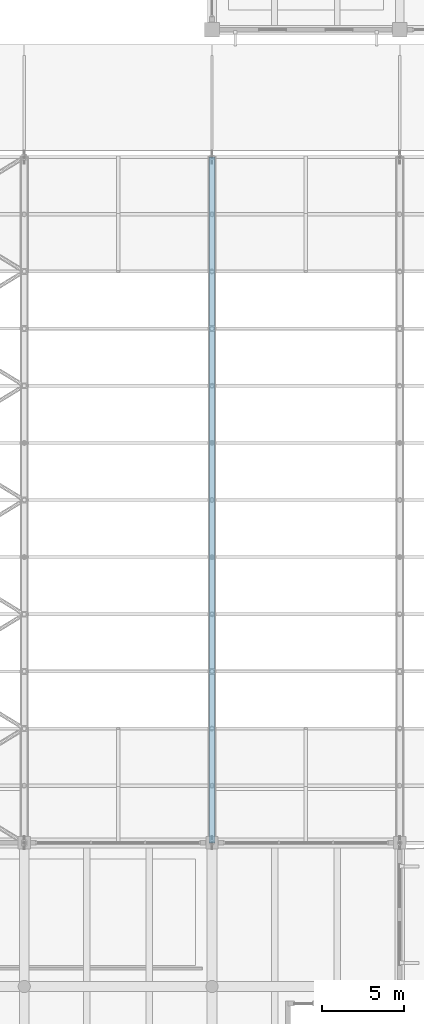
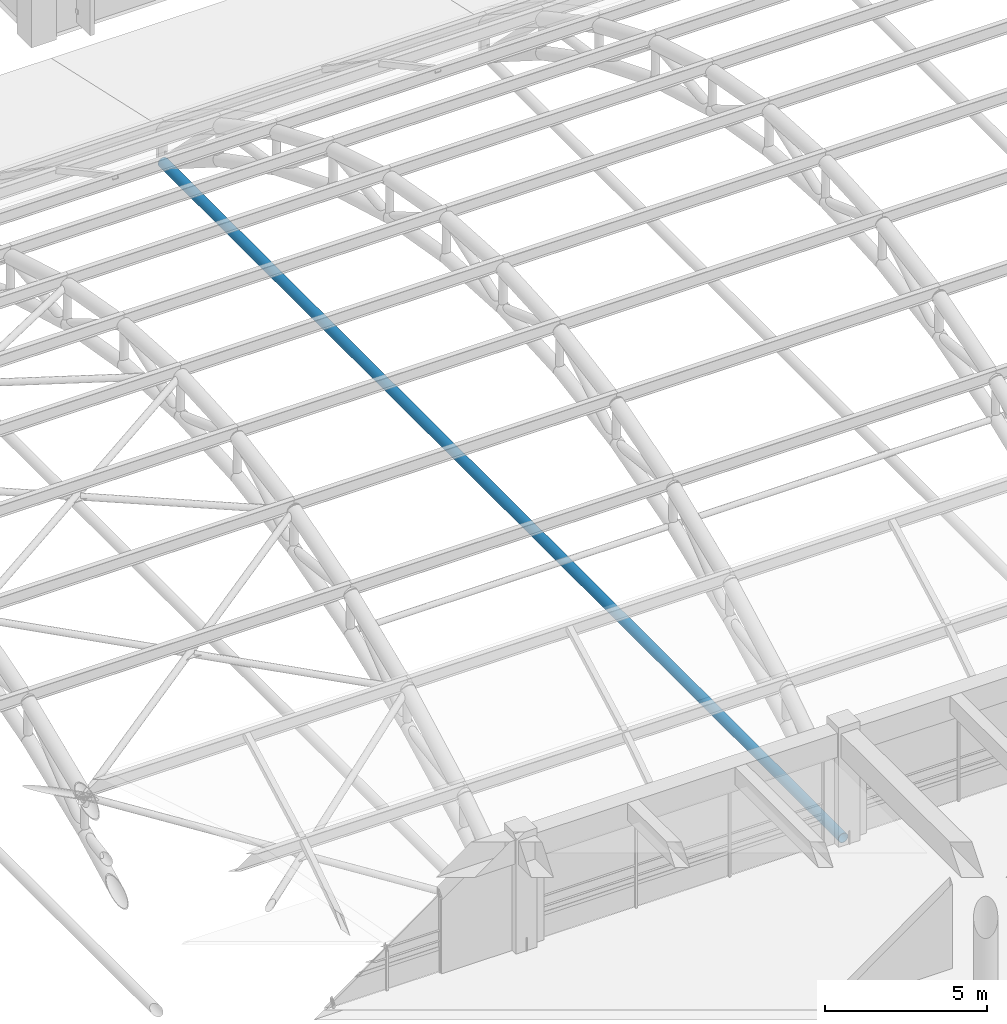
# One storey, part 61 of 154: 1 member.
"""IFC4 building model written with IfcOpenShell, lengths in metres."""

from ifc_helpers import new_model, si_unit, direction, frame, origin, origin_2d, place, context, subcontext, project, spatial, hollow_circle, extrude, material, material_profile, profile_set, type_object, element, save


model = new_model("IFC4")

# Units and contexts
model_context = context("Model", 3, precision=1e-05, world=origin(), true_north=direction((0.0, 1.0)))
body_context = subcontext(model_context, "Body", "Model", "MODEL_VIEW")
ifc_project = project(units=[si_unit("LENGTHUNIT", "METRE"), si_unit("AREAUNIT", "SQUARE_METRE"), si_unit("VOLUMEUNIT", "CUBIC_METRE"), si_unit("PLANEANGLEUNIT", "RADIAN"), si_unit("MASSUNIT", "GRAM", prefix="KILO")], contexts=[model_context])

# Site, building, storey
site_placement = place(None, origin())
site = spatial("IfcSite", under=ifc_project, at=site_placement, CompositionType="ELEMENT")
building_placement = place(site_placement, origin())
building = spatial("IfcBuilding", under=site, at=building_placement, Name="Ologun Quay Terminus", CompositionType="ELEMENT")
storey_placement = place(building_placement, frame((0.0, 0.0, 13.800048828125)))
storey = spatial("IfcBuildingStorey", under=building, at=storey_placement, Name="L03", CompositionType="ELEMENT", Elevation=13.800048828125)

# Member
ifc_material = material(Name="Steel S355", Category="steel")
ifc_material_profile = material_profile(ifc_material, hollow_circle(Radius=0.177734375, WallThickness=0.012451171875, at=origin_2d()), Name="CHS 355.6x12.5")
ifc_profile_set = profile_set([ifc_material_profile], Name="Steel S355")
member_type = type_object("IfcMemberType", Name="Arch Horizontal Tie Chord CHS355", PredefinedType="CHORD", material=ifc_profile_set)
member_placement = place(storey_placement, frame((115.0, 36.0, 0.0), z_axis=(0.0, 1.0, 0.0), x_axis=(-1.0, 0.0, 0.0)))
element("IfcMember", 1, at=member_placement, inside=storey, type_object=member_type, Name="AT1 Arch Tie Chord Grid 11", PredefinedType="CHORD", context=body_context, shape_type="SweptSolid", body=[
    extrude(hollow_circle(Radius=0.177734375, WallThickness=0.012451171875, at=origin_2d()), origin(), (0.0, 0.0, 1.0), 42.0),
])

save(model, "model.ifc")
